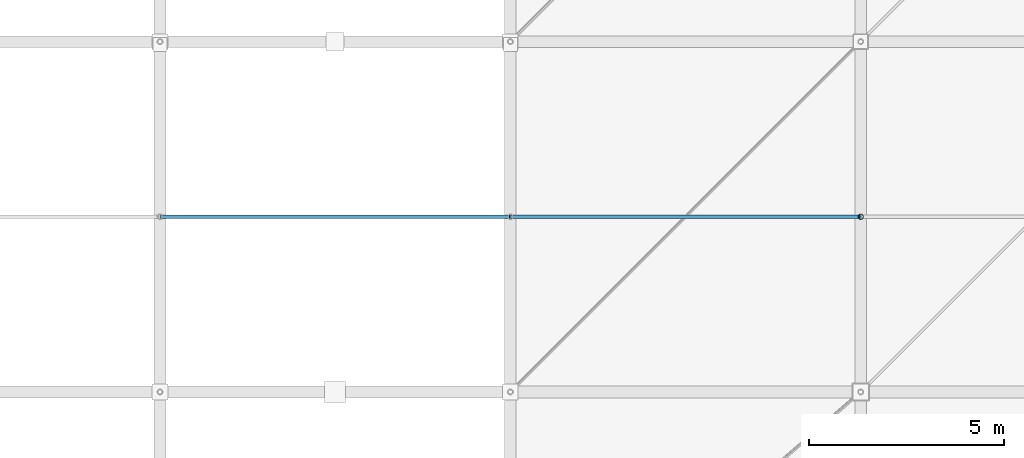
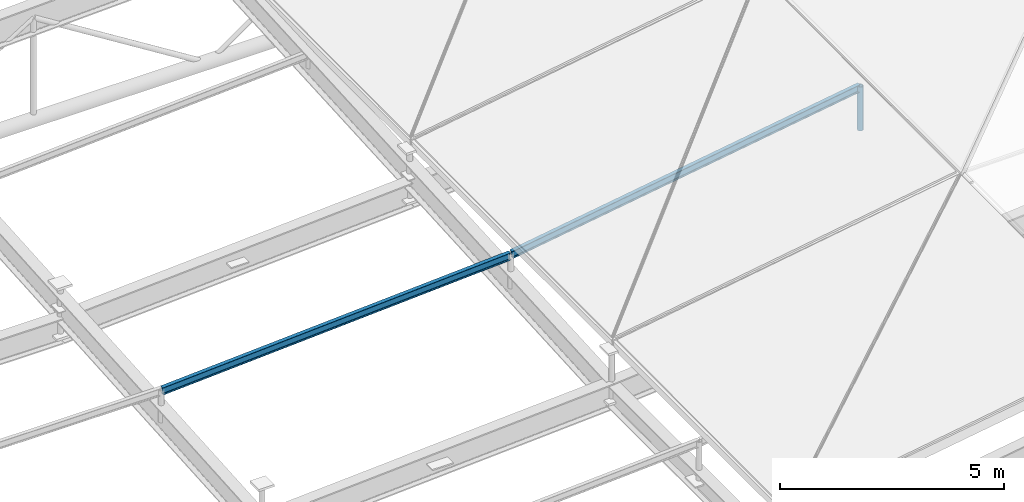
# One storey, part 17 of 80: 3 members.
"""IFC4 building model written with IfcOpenShell, lengths in metres."""

from ifc_helpers import new_model, si_unit, direction, frame, origin, origin_2d, place, context, subcontext, project, spatial, hollow_circle, i_section, extrude, material, material_profile, profile_set, type_object, element, save


model = new_model("IFC4")

# Units and contexts
model_context = context("Model", 3, precision=1e-05, world=origin(), true_north=direction((0.0, 1.0)))
body_context = subcontext(model_context, "Body", "Model", "MODEL_VIEW")
ifc_project = project(units=[si_unit("LENGTHUNIT", "METRE"), si_unit("AREAUNIT", "SQUARE_METRE"), si_unit("VOLUMEUNIT", "CUBIC_METRE"), si_unit("PLANEANGLEUNIT", "RADIAN"), si_unit("MASSUNIT", "GRAM", prefix="KILO")], contexts=[model_context])

# Site, building, storey
site_placement = place(None, origin())
site = spatial("IfcSite", under=ifc_project, at=site_placement, CompositionType="ELEMENT")
building_placement = place(site_placement, origin())
building = spatial("IfcBuilding", under=site, at=building_placement, Name="Barlavento Convention Centre", CompositionType="ELEMENT")
storey_placement = place(building_placement, frame((0.0, 0.0, 29.800048828125)))
storey = spatial("IfcBuildingStorey", under=building, at=storey_placement, Name="RF", CompositionType="ELEMENT", Elevation=29.800048828125)

# Members
ifc_material = material(Name="Steel S355", Category="steel")
ifc_material_profile_1 = material_profile(ifc_material, hollow_circle(Radius=0.06982421875, WallThickness=0.008056640625, at=origin_2d()), Name="CHS 139.7x8.0")
ifc_profile_set_1 = profile_set([ifc_material_profile_1], Name="Steel S355")
member_type_1 = type_object("IfcMemberType", Name="STR-MEM-DIAG-CHS139", PredefinedType="BRACE", material=ifc_profile_set_1)
member_1_placement = place(storey_placement, frame((54.0, 4.5, 0.0361328125), z_axis=(0.0, 0.0, 1.0), x_axis=(1.0, 0.0, 0.0)))
element("IfcMember", 1, at=member_1_placement, inside=storey, type_object=member_type_1, Name="Congress space frame vertical node post TD04", PredefinedType="BRACE", context=body_context, shape_type="SweptSolid", body=[
    extrude(hollow_circle(Radius=0.06982421875, WallThickness=0.008056640625, at=origin_2d()), origin(), (0.0, 0.0, 1.0), 1.196533203125),
])
ifc_material_profile_2 = material_profile(ifc_material, i_section(OverallWidth=0.10009765625, OverallDepth=0.199951171875, WebThickness=0.005615234375, FlangeThickness=0.008544921875, FilletRadius=0.011962890625, at=origin_2d()), Name="IPE 200")
ifc_profile_set_2 = profile_set([ifc_material_profile_2], Name="Steel S355")
member_type_2 = type_object("IfcMemberType", Name="STR-MEM-PUR-IPE200", PredefinedType="PURLIN", material=ifc_profile_set_2)
member_2_placement = place(storey_placement, frame((36.02001953125, 4.5, -0.7783203125), z_axis=(0.99818037196, 0.0, 0.060298797946), x_axis=(0.0, 1.0, 0.0)))
element("IfcMember", 2, at=member_2_placement, inside=storey, type_object=member_type_2, Name="Congress roof intermediate purlin PR01", PredefinedType="PURLIN", context=body_context, shape_type="SweptSolid", body=[
    extrude(i_section(OverallWidth=0.10009765625, OverallDepth=0.199951171875, WebThickness=0.005615234375, FlangeThickness=0.008544921875, FilletRadius=0.011962890625, at=origin_2d()), origin(), (0.0, 0.0, 1.0), 8.976318359375),
])
member_3_placement = place(storey_placement, frame((45.02001953125, 4.5, -0.217041015625), z_axis=(0.987844670797, 0.0, 0.155444222721), x_axis=(0.0, 1.0, 0.0)))
element("IfcMember", 3, at=member_3_placement, inside=storey, type_object=member_type_2, Name="Congress roof intermediate purlin PR01", PredefinedType="PURLIN", context=body_context, shape_type="SweptSolid", body=[
    extrude(i_section(OverallWidth=0.10009765625, OverallDepth=0.199951171875, WebThickness=0.005615234375, FlangeThickness=0.008544921875, FilletRadius=0.011962890625, at=origin_2d()), origin(), (0.0, 0.0, 1.0), 9.0703125),
])

save(model, "model.ifc")
